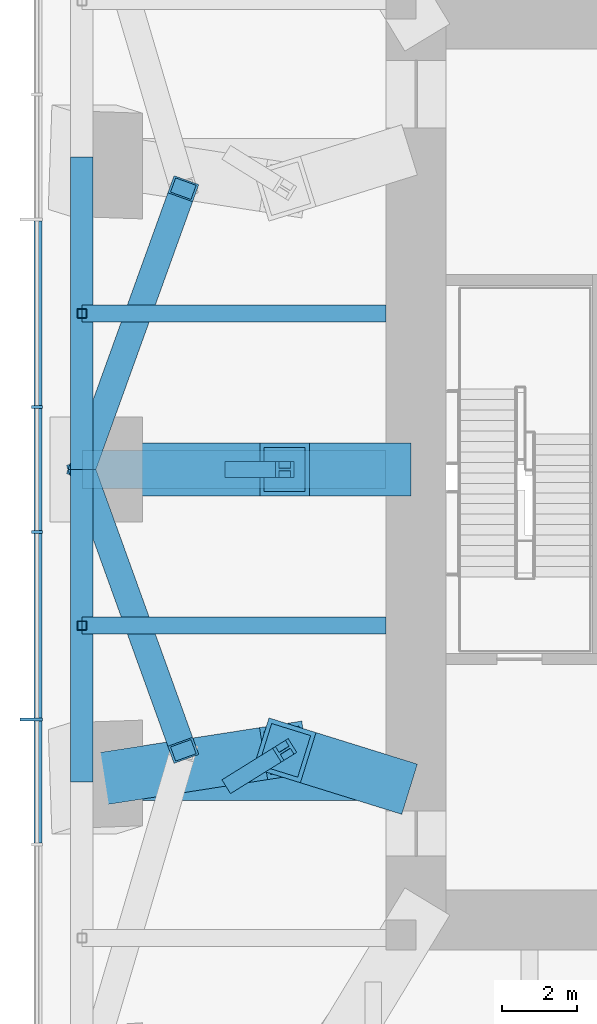
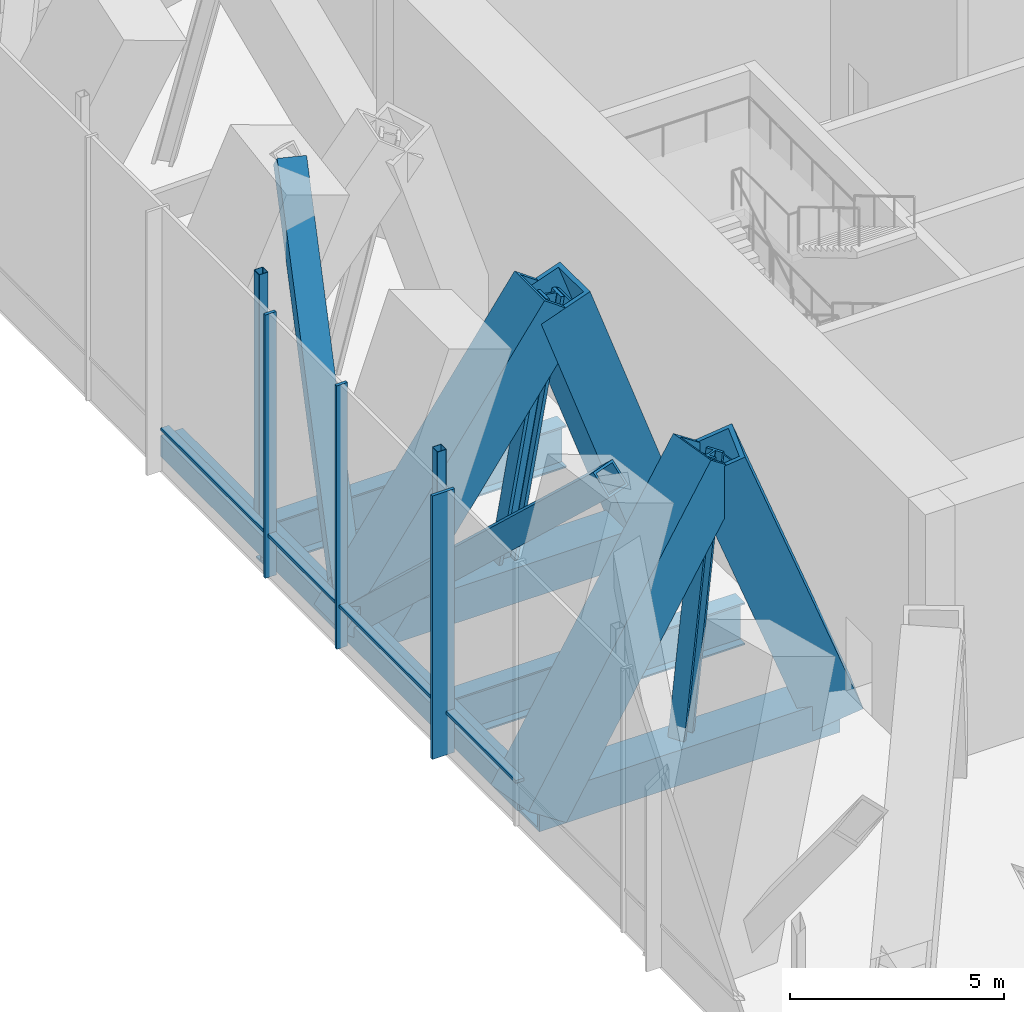
# One storey, part 4 of 16: 21 members, 2 beams, 1 element without a shape of its own.
"""IFC4 building model written with IfcOpenShell, lengths in metres."""

from ifc_helpers import new_model, si_unit, direction, frame, origin, origin_2d, place, context, subcontext, project, spatial, rectangle, hollow_rectangle, i_section, extrude, material, material_profile, profile_set, type_object, element, aggregate, save


model = new_model("IFC4")

# Units and contexts
model_context = context("Model", 3, precision=1e-05, world=origin(), true_north=direction((0.0, 1.0)))
body_context = subcontext(model_context, "Body", "Model", "MODEL_VIEW")
ifc_project = project(units=[si_unit("LENGTHUNIT", "METRE"), si_unit("AREAUNIT", "SQUARE_METRE"), si_unit("VOLUMEUNIT", "CUBIC_METRE"), si_unit("PLANEANGLEUNIT", "RADIAN"), si_unit("MASSUNIT", "GRAM", prefix="KILO")], contexts=[model_context])

# Site, building, storey
site_placement = place(None, origin())
site = spatial("IfcSite", under=ifc_project, at=site_placement, CompositionType="ELEMENT")
building_placement = place(site_placement, origin())
building = spatial("IfcBuilding", under=site, at=building_placement, Name="Khuree Lantern Residences", CompositionType="ELEMENT")
storey_placement = place(building_placement, frame((0.0, 0.0, 278.25)))
storey = spatial("IfcBuildingStorey", under=building, at=storey_placement, Name="L70", CompositionType="ELEMENT", Elevation=278.25)

# Beams
ifc_material_1 = material(Name="Steel S355", Category="steel")
ifc_material_profile_1 = material_profile(ifc_material_1, i_section(OverallWidth=0.449951171875, OverallDepth=1.199951171875, WebThickness=0.02490234375, FlangeThickness=0.044921875, at=origin_2d()), Name="WELDED I 1200X450X25X45")
ifc_profile_set_1 = profile_set([ifc_material_profile_1], Name="Steel S355")
beam_type = type_object("IfcBeamType", Name="B-70 SECONDARY BEAM WELDED I 1200X450X25X45", PredefinedType="BEAM", material=ifc_profile_set_1)
for number, where, z_axis, x_axis, name in (
    (1, (-24.39990234375, -4.159912109375, -0.949951171875), (1.0, 0.0, 0.0), (0.0, 1.0, 0.0), "Secondary beam W3"),
    (2, (-24.39990234375, 4.159912109375, -0.949951171875), (1.0, 0.0, 0.0), (0.0, 1.0, 0.0), "Secondary beam W4"),
):
    element("IfcBeam", number, at=place(storey_placement, frame(where, z_axis=z_axis, x_axis=x_axis)), inside=storey, type_object=beam_type, Name=name, PredefinedType="BEAM", context=body_context, shape_type="SweptSolid", body=[
        extrude(i_section(OverallWidth=0.449951171875, OverallDepth=1.199951171875, WebThickness=0.02490234375, FlangeThickness=0.044921875, at=origin_2d()), origin(), (0.0, 0.0, 1.0), 8.099853515625),
    ])

# Members
ifc_material_profile_2 = material_profile(ifc_material_1, hollow_rectangle(XDim=0.699951171875, YDim=0.699951171875, WallThickness=0.06005859375, at=origin_2d()), Name="WELDED BOX 700X700X60")
ifc_profile_set_2 = profile_set([ifc_material_profile_2], Name="Steel S355")
member_type_1 = type_object("IfcMemberType", Name="BD-70 BELT TRUSS DIAGONAL WELDED BOX 700X700X60", PredefinedType="BRACE", material=ifc_profile_set_2)
for number, where, z_axis, x_axis, name in (
    (3, (-21.699951171875, -7.47998046875, 6.949951171875), (-0.245452522932, 0.680004918854, -0.690902575853), (-0.940600203563, -0.339516210301, 0.0), "Belt truss diagonal W3"),
    (4, (-24.39990234375, 0.0, -0.64990234375), (0.245452522932, 0.680004918854, 0.690902575853), (-0.940600203563, 0.339516210301, 0.0), "Belt truss diagonal W4"),
):
    element("IfcMember", number, at=place(storey_placement, frame(where, z_axis=z_axis, x_axis=x_axis)), inside=storey, type_object=member_type_1, Name=name, PredefinedType="BRACE", context=body_context, shape_type="SweptSolid", body=[
        extrude(hollow_rectangle(XDim=0.699951171875, YDim=0.699951171875, WallThickness=0.06005859375, at=origin_2d()), origin(), (0.0, 0.0, 1.0), 11.0),
    ])
ifc_material_profile_3 = material_profile(ifc_material_1, hollow_rectangle(XDim=0.60009765625, YDim=0.60009765625, WallThickness=0.050048828125, at=origin_2d()), Name="WELDED BOX 600X600X50")
ifc_profile_set_3 = profile_set([ifc_material_profile_3], Name="Steel S355")
member_type_2 = type_object("IfcMemberType", Name="BT-70 BELT TRUSS CHORD WELDED BOX 600X600X50", PredefinedType="CHORD", material=ifc_profile_set_3)
for number, where, z_axis, x_axis, name in (
    (5, (-24.39990234375, -8.320068359375, -0.64990234375), (0.0, 1.0, 0.0), (-1.0, 0.0, 0.0), "Belt truss chord W3"),
    (6, (-24.39990234375, 0.0, -0.64990234375), (0.0, 1.0, 0.0), (-1.0, 0.0, 0.0), "Belt truss chord W4"),
):
    element("IfcMember", number, at=place(storey_placement, frame(where, z_axis=z_axis, x_axis=x_axis)), inside=storey, type_object=member_type_2, Name=name, PredefinedType="CHORD", context=body_context, shape_type="SweptSolid", body=[
        extrude(hollow_rectangle(XDim=0.60009765625, YDim=0.60009765625, WallThickness=0.050048828125, at=origin_2d()), origin(), (0.0, 0.0, 1.0), 8.320068359375),
    ])

# Curtain wall, members
ifc_material_2 = material(Name="Bronze anodised aluminium", Category="aluminium")
curtain_wall_type = type_object("IfcCurtainWallType", Name="CW-G PLANT STOREY LOUVRED CURTAIN WALL", PredefinedType="USERDEFINED", material=ifc_material_2)
curtain_wall_placement = place(storey_placement, origin())
curtain_wall = element("IfcCurtainWall", 7, at=curtain_wall_placement, inside=storey, type_object=curtain_wall_type, Name="L70 WEST FACE CURTAIN WALL", ObjectType="Louvred curtain wall", PredefinedType="USERDEFINED")
ifc_material_profile_4 = material_profile(ifc_material_2, rectangle(XDim=0.080078125, YDim=0.60009765625, at=origin_2d()), Name="F2 80X600")
ifc_profile_set_4 = profile_set([ifc_material_profile_4], Name="Bronze anodised aluminium")
member_type_3 = type_object("IfcMemberType", Name="F2 BRONZE FIN MULLION PLANT 80X600", PredefinedType="MULLION", material=ifc_profile_set_4)
member_1_placement = place(storey_placement, frame((-25.75, -6.656005859375, 0.0), z_axis=(0.0, 0.0, 1.0), x_axis=(0.0, -1.0, 0.0)))
member_1 = element("IfcMember", 8, at=member_1_placement, type_object=member_type_3, Name="L70 WEST FACE FIN MULLION 39", PredefinedType="MULLION", context=body_context, shape_type="SweptSolid", body=[
    extrude(rectangle(XDim=0.080078125, YDim=0.60009765625, at=origin_2d()), origin(), (0.0, 0.0, 1.0), 7.5),
])
ifc_material_profile_5 = material_profile(ifc_material_2, rectangle(XDim=0.080078125, YDim=0.300048828125, at=origin_2d()), Name="M2 80X300")
ifc_profile_set_5 = profile_set([ifc_material_profile_5], Name="Bronze anodised aluminium")
member_type_4 = type_object("IfcMemberType", Name="MULLION M2 PLANT 80X300", PredefinedType="MULLION", material=ifc_profile_set_5)
member_2_placement = place(storey_placement, frame((-25.60009765625, 1.6640625, 0.0), z_axis=(0.0, 0.0, 1.0), x_axis=(0.0, -1.0, 0.0)))
member_2 = element("IfcMember", 9, at=member_2_placement, type_object=member_type_4, Name="L70 WEST FACE MULLION 37", PredefinedType="MULLION", context=body_context, shape_type="SweptSolid", body=[
    extrude(rectangle(XDim=0.080078125, YDim=0.300048828125, at=origin_2d()), origin(), (0.0, 0.0, 1.0), 7.5),
])
member_3_placement = place(storey_placement, frame((-25.60009765625, -1.6640625, 0.0), z_axis=(0.0, 0.0, 1.0), x_axis=(0.0, -1.0, 0.0)))
member_3 = element("IfcMember", 10, at=member_3_placement, type_object=member_type_4, Name="L70 WEST FACE MULLION 38", PredefinedType="MULLION", context=body_context, shape_type="SweptSolid", body=[
    extrude(rectangle(XDim=0.080078125, YDim=0.300048828125, at=origin_2d()), origin(), (0.0, 0.0, 1.0), 7.5),
])

# Members
ifc_material_profile_6 = material_profile(ifc_material_1, hollow_rectangle(XDim=1.39990234375, YDim=1.39990234375, WallThickness=0.1201171875, at=origin_2d()), Name="WELDED BOX 1400X1400X120")
ifc_profile_set_6 = profile_set([ifc_material_profile_6], Name="Steel S355")
member_type_5 = type_object("IfcMemberType", Name="OD-70 OUTRIGGER TRUSS DIAGONAL WELDED BOX 1400X1400X120", PredefinedType="BRACE", material=ifc_profile_set_6)
member_4_placement = place(storey_placement, frame((-16.300048828125, -8.320068359375, -0.85009765625), z_axis=(-0.332954599598, 0.103598587324, 0.937234531647), x_axis=(-0.297099790483, -0.954846435033, 0.0)))
element("IfcMember", 11, at=member_4_placement, inside=storey, type_object=member_type_5, Name="Outrigger diagonal W2 core side", PredefinedType="BRACE", context=body_context, shape_type="SweptSolid", body=[
    extrude(hollow_rectangle(XDim=1.39990234375, YDim=1.39990234375, WallThickness=0.1201171875, at=origin_2d()), origin(), (0.0, 0.0, 1.0), 8.109130859375),
])
member_5_placement = place(storey_placement, frame((-19.0, -7.47998046875, 6.75), z_axis=(-0.576858069991, -0.089744489504, -0.8118994357), x_axis=(0.153725423234, -0.98811360392, 0.0)))
element("IfcMember", 12, at=member_5_placement, inside=storey, type_object=member_type_5, Name="Outrigger diagonal W2 column side", PredefinedType="BRACE", context=body_context, shape_type="SweptSolid", body=[
    extrude(hollow_rectangle(XDim=1.39990234375, YDim=1.39990234375, WallThickness=0.1201171875, at=origin_2d()), origin(), (0.0, 0.0, 1.0), 9.36083984375),
])
member_6_placement = place(storey_placement, frame((-16.300048828125, 0.0, -0.85009765625), z_axis=(-0.334755857332, 0.0, 0.942304895446), x_axis=(0.0, -1.0, 0.0)))
element("IfcMember", 13, at=member_6_placement, inside=storey, type_object=member_type_5, Name="Outrigger diagonal W3 core side", PredefinedType="BRACE", context=body_context, shape_type="SweptSolid", body=[
    extrude(hollow_rectangle(XDim=1.39990234375, YDim=1.39990234375, WallThickness=0.1201171875, at=origin_2d()), origin(), (0.0, 0.0, 1.0), 8.0654296875),
])
member_7_placement = place(storey_placement, frame((-19.0, 0.0, 6.75), z_axis=(-0.579195225841, 0.0, -0.815188867909), x_axis=(0.0, -1.0, 0.0)))
element("IfcMember", 14, at=member_7_placement, inside=storey, type_object=member_type_5, Name="Outrigger diagonal W3 column side", PredefinedType="BRACE", context=body_context, shape_type="SweptSolid", body=[
    extrude(hollow_rectangle(XDim=1.39990234375, YDim=1.39990234375, WallThickness=0.1201171875, at=origin_2d()), origin(), (0.0, 0.0, 1.0), 9.322998046875),
])
ifc_material_profile_7 = material_profile(ifc_material_1, i_section(OverallWidth=0.431884765625, OverallDepth=0.498046875, WebThickness=0.0556640625, FlangeThickness=0.0888671875, FilletRadius=0.014892578125, at=origin_2d()), Name="HD 400X744")
ifc_profile_set_7 = profile_set([ifc_material_profile_7], Name="Steel S355")
member_type_6 = type_object("IfcMemberType", Name="OP-70 OUTRIGGER TRUSS POST HD 400X744", PredefinedType="POST", material=ifc_profile_set_7)
member_8_placement = place(storey_placement, frame((-20.35009765625, -8.320068359375, -0.85009765625), z_axis=(0.173877167487, 0.108193731161, 0.9788058271), x_axis=(-0.528314184847, 0.849048951527, 0.0)))
element("IfcMember", 15, at=member_8_placement, inside=storey, type_object=member_type_6, Name="Outrigger post W2", PredefinedType="POST", context=body_context, shape_type="SweptSolid", body=[
    extrude(i_section(OverallWidth=0.431884765625, OverallDepth=0.498046875, WebThickness=0.0556640625, FlangeThickness=0.0888671875, FilletRadius=0.014892578125, at=origin_2d()), origin(), (0.0, 0.0, 1.0), 7.7646484375),
])
member_9_placement = place(storey_placement, frame((-20.35009765625, 0.0, -0.85009765625), z_axis=(0.174903883222, 0.0, 0.984585512606), x_axis=(0.0, 1.0, 0.0)))
element("IfcMember", 16, at=member_9_placement, inside=storey, type_object=member_type_6, Name="Outrigger post W3", PredefinedType="POST", context=body_context, shape_type="SweptSolid", body=[
    extrude(i_section(OverallWidth=0.431884765625, OverallDepth=0.498046875, WebThickness=0.0556640625, FlangeThickness=0.0888671875, FilletRadius=0.014892578125, at=origin_2d()), origin(), (0.0, 0.0, 1.0), 7.718994140625),
])
ifc_material_profile_8 = material_profile(ifc_material_1, hollow_rectangle(XDim=1.0, YDim=1.0, WallThickness=0.080078125, at=origin_2d()), Name="WELDED BOX 1000X1000X80")
ifc_profile_set_8 = profile_set([ifc_material_profile_8], Name="Steel S355")
member_type_7 = type_object("IfcMemberType", Name="OT-70 OUTRIGGER TRUSS CHORD WELDED BOX 1000X1000X80", PredefinedType="CHORD", material=ifc_profile_set_8)
for number, where, z_axis, x_axis, name in (
    (17, (-24.39990234375, -8.320068359375, -0.85009765625), (1.0, 0.0, 0.0), (0.0, 1.0, 0.0), "Outrigger chord W2"),
    (18, (-24.39990234375, 0.0, -0.85009765625), (1.0, 0.0, 0.0), (0.0, 1.0, 0.0), "Outrigger chord W3"),
):
    element("IfcMember", number, at=place(storey_placement, frame(where, z_axis=z_axis, x_axis=x_axis)), inside=storey, type_object=member_type_7, Name=name, PredefinedType="CHORD", context=body_context, shape_type="SweptSolid", body=[
        extrude(hollow_rectangle(XDim=1.0, YDim=1.0, WallThickness=0.080078125, at=origin_2d()), origin(), (0.0, 0.0, 1.0), 8.099853515625),
    ])
ifc_material_profile_9 = material_profile(ifc_material_1, hollow_rectangle(XDim=0.25, YDim=0.25, WallThickness=0.012451171875, InnerFilletRadius=0.012451171875, OuterFilletRadius=0.018798828125, at=origin_2d()), Name="SHS 250X250X12.5")
ifc_profile_set_9 = profile_set([ifc_material_profile_9], Name="Steel S355")
member_type_8 = type_object("IfcMemberType", Name="TP1 TERRACE POST SHS 250X250X12.5", PredefinedType="POST", material=ifc_profile_set_9)
for number, where, z_axis, x_axis, name in (
    (19, (-24.39990234375, -4.159912109375, -0.35009765625), (0.0, 0.0, 1.0), (1.0, 0.0, 0.0), "Terrace post W3"),
    (20, (-24.39990234375, 4.159912109375, -0.35009765625), (0.0, 0.0, 1.0), (1.0, 0.0, 0.0), "Terrace post W4"),
):
    element("IfcMember", number, at=place(storey_placement, frame(where, z_axis=z_axis, x_axis=x_axis)), inside=storey, type_object=member_type_8, Name=name, PredefinedType="POST", context=body_context, shape_type="SweptSolid", body=[
        extrude(hollow_rectangle(XDim=0.25, YDim=0.25, WallThickness=0.012451171875, InnerFilletRadius=0.012451171875, OuterFilletRadius=0.018798828125, at=origin_2d()), origin(), (0.0, 0.0, 1.0), 7.10009765625),
    ])

# Member
ifc_material_profile_10 = material_profile(ifc_material_2, rectangle(XDim=0.219970703125, YDim=0.080078125, at=origin_2d()), Name="T2 220X80")
ifc_profile_set_10 = profile_set([ifc_material_profile_10], Name="Bronze anodised aluminium")
member_type_9 = type_object("IfcMemberType", Name="TRANSOM T2 PLANT 220X80", PredefinedType="USERDEFINED", material=ifc_profile_set_10)
member_10_placement = place(storey_placement, frame((-25.570068359375, 6.615966796875, 1.199951171875), z_axis=(0.0, -1.0, 0.0), x_axis=(1.0, 0.0, 0.0)))
member_10 = element("IfcMember", 21, at=member_10_placement, type_object=member_type_9, Name="L70 WEST FACE TRANSOM 36.1", ObjectType="Transom", PredefinedType="USERDEFINED", context=body_context, shape_type="SweptSolid", body=[
    extrude(rectangle(XDim=0.219970703125, YDim=0.080078125, at=origin_2d()), origin(), (0.0, 0.0, 1.0), 4.911865234375),
])

member_11_placement = place(storey_placement, frame((-25.570068359375, 1.6240234375, 1.199951171875), z_axis=(0.0, -1.0, 0.0), x_axis=(1.0, 0.0, 0.0)))
member_11 = element("IfcMember", 22, at=member_11_placement, type_object=member_type_9, Name="L70 WEST FACE TRANSOM 37.1", ObjectType="Transom", PredefinedType="USERDEFINED", context=body_context, shape_type="SweptSolid", body=[
    extrude(rectangle(XDim=0.219970703125, YDim=0.080078125, at=origin_2d()), origin(), (0.0, 0.0, 1.0), 3.248046875),
])

member_12_placement = place(storey_placement, frame((-25.570068359375, -1.7041015625, 1.199951171875), z_axis=(0.0, -1.0, 0.0), x_axis=(1.0, 0.0, 0.0)))
member_12 = element("IfcMember", 23, at=member_12_placement, type_object=member_type_9, Name="L70 WEST FACE TRANSOM 38.1", ObjectType="Transom", PredefinedType="USERDEFINED", context=body_context, shape_type="SweptSolid", body=[
    extrude(rectangle(XDim=0.219970703125, YDim=0.080078125, at=origin_2d()), origin(), (0.0, 0.0, 1.0), 4.911865234375),
])

member_13_placement = place(storey_placement, frame((-25.570068359375, -6.696044921875, 1.199951171875), z_axis=(0.0, -1.0, 0.0), x_axis=(1.0, 0.0, 0.0)))
member_13 = element("IfcMember", 24, at=member_13_placement, type_object=member_type_9, Name="L70 WEST FACE TRANSOM 39.1", ObjectType="Transom", PredefinedType="USERDEFINED", context=body_context, shape_type="SweptSolid", body=[
    extrude(rectangle(XDim=0.219970703125, YDim=0.080078125, at=origin_2d()), origin(), (0.0, 0.0, 1.0), 3.248046875),
])

aggregate(curtain_wall, [member_2, member_3, member_1, member_10, member_11, member_12, member_13])

save(model, "model.ifc")
